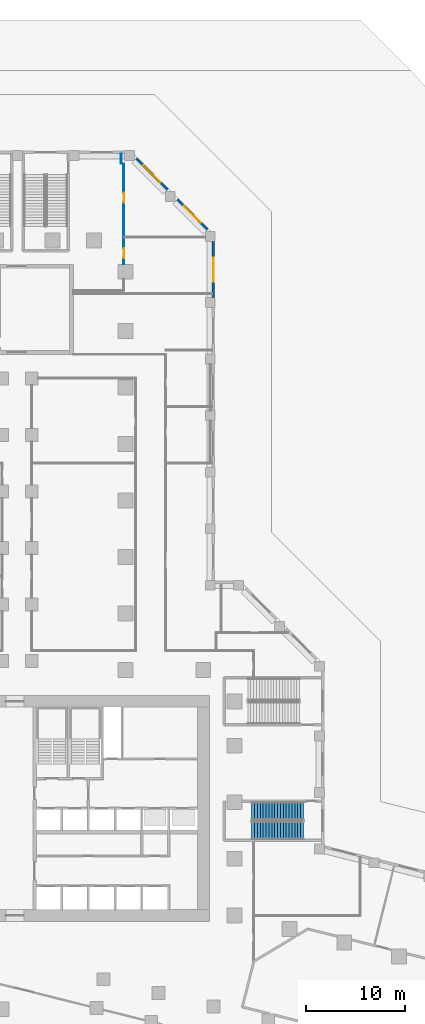
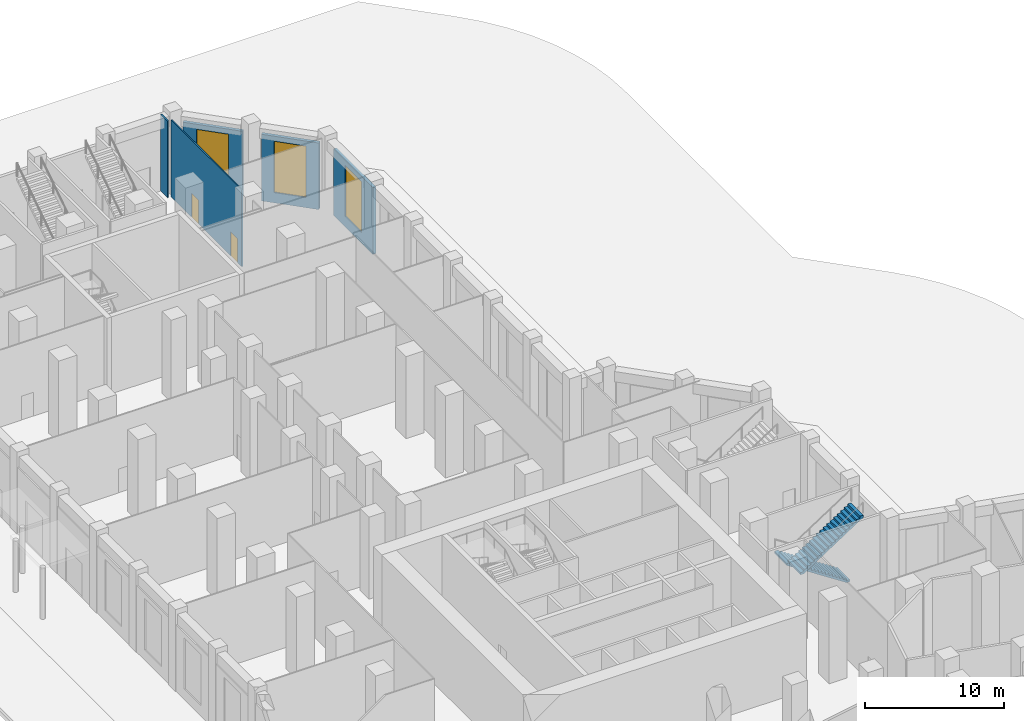
# One storey, part 20 of 27: 5 walls, 3 windows, 2 doors, 2 stair flights, 5 openings, 1 element without a shape of its own.
"""IFC4 building model written with IfcOpenShell, lengths in metres."""

from ifc_helpers import new_model, si_unit, direction, frame, frame_2d, origin, place, context, subcontext, project, spatial, polyline, rectangle, outline, extrude, material, layer, layer_set, type_object, element, fill, aggregate, save


model = new_model("IFC4")

# Units and contexts
model_context = context("Model", 3, precision=1e-05, world=origin(), true_north=direction((0.0, 1.0)))
body_context = subcontext(model_context, "Body", "Model", "MODEL_VIEW")
ifc_project = project(units=[si_unit("LENGTHUNIT", "METRE"), si_unit("AREAUNIT", "SQUARE_METRE"), si_unit("VOLUMEUNIT", "CUBIC_METRE"), si_unit("PLANEANGLEUNIT", "RADIAN"), si_unit("MASSUNIT", "GRAM", prefix="KILO")], contexts=[model_context])

# Site, building, storey
site_placement = place(None, origin())
site = spatial("IfcSite", under=ifc_project, at=site_placement, CompositionType="ELEMENT")
building_placement = place(site_placement, origin())
building = spatial("IfcBuilding", under=site, at=building_placement, Name="Meshkara Civic Tower", CompositionType="ELEMENT")
storey_placement = place(building_placement, origin())
storey = spatial("IfcBuildingStorey", under=building, at=storey_placement, Name="L00", CompositionType="ELEMENT", Elevation=0.0)

# Wall
ifc_material_1 = material(Name="Corridor wall 100")
ifc_layer_1 = layer(ifc_material_1, 0.10009765625)
ifc_layer_set_1 = layer_set([ifc_layer_1], Name="Corridor wall 100")
wall_type_1 = type_object("IfcWallType", Name="Corridor wall 100", PredefinedType="PARTITIONING", material=ifc_layer_set_1)
wall_1_placement = place(storey_placement, frame((21.89990234375, 90.52001953125, 0.0), z_axis=(0.0, 0.0, 1.0), x_axis=(0.0, 1.0, 0.0)))
element("IfcWall", 1, at=wall_1_placement, inside=storey, type_object=wall_type_1, Name="L00-R029", PredefinedType="PARTITIONING", context=body_context, shape_type="SweptSolid", body=[
    extrude(rectangle(XDim=1.0, YDim=0.10009765625, at=frame_2d((0.5, 0.0))), origin(), (0.0, 0.0, 1.0), 6.75),
])

# Wall, openings, doors
wall_2_placement = place(storey_placement, frame((22.199951171875, 80.384033203125, 0.0), z_axis=(0.0, 0.0, 1.0), x_axis=(0.0, 1.0, 0.0)))
wall_2 = element("IfcWall", 2, at=wall_2_placement, inside=storey, type_object=wall_type_1, Name="L00-R031", PredefinedType="PARTITIONING", context=body_context, shape_type="SweptSolid", body=[
    extrude(rectangle(XDim=10.135986328125, YDim=0.10009765625, at=frame_2d((5.06787109375, 0.0))), origin(), (0.0, 0.0, 1.0), 6.75),
])
opening_1_placement = place(wall_2_placement, frame((0.580078125, 0.0, 0.0)))
opening_1 = element("IfcOpeningElement", 3, at=opening_1_placement, cuts=wall_2, Name="Opening L00-P036", PredefinedType="OPENING", context=body_context, shape_type="SweptSolid", body=[
    extrude(rectangle(XDim=1.0, YDim=2.10009765625, at=frame_2d((0.5, 1.050048828125))), frame((0.0, 0.06005859375, 0.0), z_axis=(0.0, -1.0, 0.0), x_axis=(1.0, 0.0, 0.0)), (0.0, 0.0, 1.0), 0.1201171875),
])
opening_2_placement = place(wall_2_placement, frame((6.196044921875, 0.0, 0.0)))
opening_2 = element("IfcOpeningElement", 4, at=opening_2_placement, cuts=wall_2, Name="Opening L00-P038", PredefinedType="OPENING", context=body_context, shape_type="SweptSolid", body=[
    extrude(rectangle(XDim=1.0, YDim=2.10009765625, at=frame_2d((0.5, 1.050048828125))), frame((0.0, 0.06005859375, 0.0), z_axis=(0.0, -1.0, 0.0), x_axis=(1.0, 0.0, 0.0)), (0.0, 0.0, 1.0), 0.1201171875),
])
ifc_material_2 = material(Name="Door 1000 x 2100")
door_type = type_object("IfcDoorType", Name="Door 1000 x 2100", OperationType="SINGLE_SWING_LEFT", PredefinedType="DOOR", material=ifc_material_2)
door_1_placement = place(opening_1_placement, origin())
door_1 = element("IfcDoor", 5, at=door_1_placement, inside=storey, type_object=door_type, Name="L00-P036", OperationType="SINGLE_SWING_RIGHT", OverallHeight=2.10009765625, OverallWidth=1.0, PredefinedType="DOOR", context=body_context, shape_type="SweptSolid", body=[
    extrude(rectangle(XDim=1.0, YDim=2.10009765625, at=frame_2d((0.5, 1.050048828125))), frame((0.0, 0.02490234375, 0.0), z_axis=(0.0, -1.0, 0.0), x_axis=(1.0, 0.0, 0.0)), (0.0, 0.0, 1.0), 0.050048828125),
])
fill(opening_1, door_1)
door_2_placement = place(opening_2_placement, origin())
door_2 = element("IfcDoor", 6, at=door_2_placement, inside=storey, type_object=door_type, Name="L00-P038", OperationType="SINGLE_SWING_RIGHT", OverallHeight=2.10009765625, OverallWidth=1.0, PredefinedType="DOOR", context=body_context, shape_type="SweptSolid", body=[
    extrude(rectangle(XDim=1.0, YDim=2.10009765625, at=frame_2d((0.5, 1.050048828125))), frame((0.0, 0.02490234375, 0.0), z_axis=(0.0, -1.0, 0.0), x_axis=(1.0, 0.0, 0.0)), (0.0, 0.0, 1.0), 0.050048828125),
])
fill(opening_2, door_2)

# Wall, opening, window
ifc_material_3 = material(Name="Stone cladding on insulated backing wall", Category="masonry")
ifc_layer_2 = layer(ifc_material_3, 0.25)
ifc_layer_set_2 = layer_set([ifc_layer_2], Name="PODIUM STONE WALL 250")
wall_type_2 = type_object("IfcWallType", Name="PODIUM STONE WALL 250", PredefinedType="SOLIDWALL", material=ifc_layer_set_2)
wall_3_placement = place(storey_placement, frame((30.6298828125, 83.885986328125, 0.0), z_axis=(0.0, 0.0, 1.0), x_axis=(-0.707078301545, 0.707135259681, 0.0)))
wall_3 = element("IfcWall", 7, at=wall_3_placement, inside=storey, type_object=wall_type_2, Name="Podium external wall", PredefinedType="SOLIDWALL", context=body_context, shape_type="SweptSolid", body=[
    extrude(rectangle(XDim=4.286376953125, YDim=0.25, at=frame_2d((2.14306640625, 0.0))), origin(), (0.0, 0.0, 1.0), 5.85009765625),
])
opening_3_placement = place(wall_3_placement, frame((0.943115234375, 0.0, 0.89990234375)))
opening_3 = element("IfcOpeningElement", 8, at=opening_3_placement, cuts=wall_3, Name="Opening PW1", PredefinedType="OPENING", context=body_context, shape_type="SweptSolid", body=[
    extrude(rectangle(XDim=2.39990234375, YDim=4.5, at=frame_2d((1.199951171875, 2.25))), frame((0.0, 0.135009765625, 0.0), z_axis=(0.0, -1.0, 0.0), x_axis=(1.0, 0.0, 0.0)), (0.0, 0.0, 1.0), 0.27001953125),
])
ifc_material_4 = material(Name="Tinted double glazing", Category="glass")
window_type = type_object("IfcWindowType", Name="PODIUM WINDOW 2400x4500", PartitioningType="DOUBLE_PANEL_VERTICAL", PredefinedType="WINDOW", material=ifc_material_4)
window_1_placement = place(opening_3_placement, origin())
window_1 = element("IfcWindow", 9, at=window_1_placement, inside=storey, type_object=window_type, Name="Podium window", OverallHeight=4.5, OverallWidth=2.39990234375, PartitioningType="DOUBLE_PANEL_VERTICAL", PredefinedType="WINDOW", context=body_context, shape_type="SweptSolid", body=[
    extrude(rectangle(XDim=2.39990234375, YDim=4.5, at=frame_2d((1.199951171875, 2.25))), frame((0.0, 0.030029296875, 0.0), z_axis=(0.0, -1.0, 0.0), x_axis=(1.0, 0.0, 0.0)), (0.0, 0.0, 1.0), 0.06005859375),
])
fill(opening_3, window_1)

wall_4_placement = place(storey_placement, frame((26.59912109375, 87.9169921875, 0.0), z_axis=(0.0, 0.0, 1.0), x_axis=(-0.707106781187, 0.707106781187, 0.0)))
wall_4 = element("IfcWall", 10, at=wall_4_placement, inside=storey, type_object=wall_type_2, Name="Podium external wall", PredefinedType="SOLIDWALL", context=body_context, shape_type="SweptSolid", body=[
    extrude(rectangle(XDim=4.430908203125, YDim=0.25, at=frame_2d((2.21533203125, 0.0))), origin(), (0.0, 0.0, 1.0), 5.85009765625),
])
opening_4_placement = place(wall_4_placement, frame((1.014892578125, 0.0, 0.89990234375)))
opening_4 = element("IfcOpeningElement", 11, at=opening_4_placement, cuts=wall_4, Name="Opening PW1", PredefinedType="OPENING", context=body_context, shape_type="SweptSolid", body=[
    extrude(rectangle(XDim=2.39990234375, YDim=4.5, at=frame_2d((1.199951171875, 2.25))), frame((0.0, 0.135009765625, 0.0), z_axis=(0.0, -1.0, 0.0), x_axis=(1.0, 0.0, 0.0)), (0.0, 0.0, 1.0), 0.27001953125),
])
window_2_placement = place(opening_4_placement, origin())
window_2 = element("IfcWindow", 12, at=window_2_placement, inside=storey, type_object=window_type, Name="Podium window", OverallHeight=4.5, OverallWidth=2.39990234375, PartitioningType="DOUBLE_PANEL_VERTICAL", PredefinedType="WINDOW", context=body_context, shape_type="SweptSolid", body=[
    extrude(rectangle(XDim=2.39990234375, YDim=4.5, at=frame_2d((1.199951171875, 2.25))), frame((0.0, 0.030029296875, 0.0), z_axis=(0.0, -1.0, 0.0), x_axis=(1.0, 0.0, 0.0)), (0.0, 0.0, 1.0), 0.06005859375),
])
fill(opening_4, window_2)

wall_5_placement = place(storey_placement, frame((31.22509765625, 77.0, 0.0), z_axis=(0.0, 0.0, 1.0), x_axis=(0.0, 1.0, 0.0)))
wall_5 = element("IfcWall", 13, at=wall_5_placement, inside=storey, type_object=wall_type_2, Name="Podium external wall", PredefinedType="SOLIDWALL", context=body_context, shape_type="SweptSolid", body=[
    extrude(rectangle(XDim=5.656005859375, YDim=0.25, at=frame_2d((2.828125, 0.0))), origin(), (0.0, 0.0, 1.0), 5.85009765625),
])
opening_5_placement = place(wall_5_placement, frame((1.6279296875, 0.0, 0.89990234375)))
opening_5 = element("IfcOpeningElement", 14, at=opening_5_placement, cuts=wall_5, Name="Opening PW1", PredefinedType="OPENING", context=body_context, shape_type="SweptSolid", body=[
    extrude(rectangle(XDim=2.39990234375, YDim=4.5, at=frame_2d((1.199951171875, 2.25))), frame((0.0, 0.135009765625, 0.0), z_axis=(0.0, -1.0, 0.0), x_axis=(1.0, 0.0, 0.0)), (0.0, 0.0, 1.0), 0.27001953125),
])
window_3_placement = place(opening_5_placement, origin())
window_3 = element("IfcWindow", 15, at=window_3_placement, inside=storey, type_object=window_type, Name="Podium window", OverallHeight=4.5, OverallWidth=2.39990234375, PartitioningType="DOUBLE_PANEL_VERTICAL", PredefinedType="WINDOW", context=body_context, shape_type="SweptSolid", body=[
    extrude(rectangle(XDim=2.39990234375, YDim=4.5, at=frame_2d((1.199951171875, 2.25))), frame((0.0, 0.030029296875, 0.0), z_axis=(0.0, -1.0, 0.0), x_axis=(1.0, 0.0, 0.0)), (0.0, 0.0, 1.0), 0.06005859375),
])
fill(opening_5, window_3)

# Stair, stair flights
ifc_material_5 = material(Name="Precast concrete C40/50", Category="concrete")
stair_type = type_object("IfcStairType", Name="Podium exit stair half-turn 38 risers 1800 wide precast", PredefinedType="HALF_TURN_STAIR", material=ifc_material_5)
stair_placement = place(storey_placement, origin())
stair = element("IfcStair", 16, at=stair_placement, inside=storey, type_object=stair_type, Name="L00 podium exit stair PS5", PredefinedType="HALF_TURN_STAIR")
ifc_material_6 = material(Name="Precast concrete C40/50", Category="concrete")
stair_flight_type = type_object("IfcStairFlightType", Name="Podium exit stair flight 19 risers 1800 wide precast", PredefinedType="STRAIGHT", material=ifc_material_6)
stair_flight_1_placement = place(storey_placement, frame((40.300048828125, 25.22509765625, 0.0), z_axis=(0.0, 0.0, 1.0), x_axis=(-1.0, 0.0, 0.0)))
stair_flight_1 = element("IfcStairFlight", 17, at=stair_flight_1_placement, type_object=stair_flight_type, Name="PS5 flight 1", NumberOfRisers=19, NumberOfTreads=18, PredefinedType="STRAIGHT", RiserHeight=0.189473684, TreadLength=0.29, context=body_context, shape_type="SweptSolid", body=[
    extrude(outline(polyline([(0.0, 0.0), (0.0, 0.189453125), (0.2900390625, 0.189453125), (0.2900390625, 0.37890625), (0.580078125, 0.37890625), (0.580078125, 0.568359375), (0.8701171875, 0.568359375), (0.8701171875, 0.7578125), (1.159912109375, 0.7578125), (1.159912109375, 0.947265625), (1.449951171875, 0.947265625), (1.449951171875, 1.136962890625), (1.739990234375, 1.136962890625), (1.739990234375, 1.326416015625), (2.030029296875, 1.326416015625), (2.030029296875, 1.515869140625), (2.320068359375, 1.515869140625), (2.320068359375, 1.705322265625), (2.610107421875, 1.705322265625), (2.610107421875, 1.894775390625), (2.89990234375, 1.894775390625), (2.89990234375, 2.084228515625), (3.18994140625, 2.084228515625), (3.18994140625, 2.273681640625), (3.47998046875, 2.273681640625), (3.47998046875, 2.463134765625), (3.77001953125, 2.463134765625), (3.77001953125, 2.652587890625), (4.06005859375, 2.652587890625), (4.06005859375, 2.842041015625), (4.35009765625, 2.842041015625), (4.35009765625, 3.031494140625), (4.639892578125, 3.031494140625), (4.639892578125, 3.220947265625), (4.929931640625, 3.220947265625), (4.929931640625, 3.41064453125), (5.219970703125, 3.41064453125), (5.219970703125, 3.60009765625), (5.219970703125, 3.2314453125), (0.274169921875, 0.0), (0.0, 0.0)])), frame((0.0, 0.89990234375, 0.0), z_axis=(0.0, -1.0, 0.0), x_axis=(1.0, 0.0, 0.0)), (0.0, 0.0, 1.0), 1.800048828125),
])
stair_flight_2_placement = place(storey_placement, frame((35.080078125, 23.27490234375, 3.60009765625), z_axis=(0.0, 0.0, 1.0), x_axis=(1.0, 0.0, 0.0)))
stair_flight_2 = element("IfcStairFlight", 18, at=stair_flight_2_placement, type_object=stair_flight_type, Name="PS5 flight 2", NumberOfRisers=19, NumberOfTreads=18, PredefinedType="STRAIGHT", RiserHeight=0.189473684, TreadLength=0.29, context=body_context, shape_type="SweptSolid", body=[
    extrude(outline(polyline([(0.0, 0.0), (0.0, 0.189453125), (0.2900390625, 0.189453125), (0.2900390625, 0.37890625), (0.580078125, 0.37890625), (0.580078125, 0.568359375), (0.8701171875, 0.568359375), (0.8701171875, 0.7578125), (1.159912109375, 0.7578125), (1.159912109375, 0.947265625), (1.449951171875, 0.947265625), (1.449951171875, 1.136962890625), (1.739990234375, 1.136962890625), (1.739990234375, 1.326416015625), (2.030029296875, 1.326416015625), (2.030029296875, 1.515869140625), (2.320068359375, 1.515869140625), (2.320068359375, 1.705322265625), (2.610107421875, 1.705322265625), (2.610107421875, 1.894775390625), (2.89990234375, 1.894775390625), (2.89990234375, 2.084228515625), (3.18994140625, 2.084228515625), (3.18994140625, 2.273681640625), (3.47998046875, 2.273681640625), (3.47998046875, 2.463134765625), (3.77001953125, 2.463134765625), (3.77001953125, 2.652587890625), (4.06005859375, 2.652587890625), (4.06005859375, 2.842041015625), (4.35009765625, 2.842041015625), (4.35009765625, 3.031494140625), (4.639892578125, 3.031494140625), (4.639892578125, 3.220947265625), (4.929931640625, 3.220947265625), (4.929931640625, 3.41064453125), (5.219970703125, 3.41064453125), (5.219970703125, 3.60009765625), (5.219970703125, 3.2314453125), (0.274169921875, 0.0), (0.0, 0.0)])), frame((0.0, 0.89990234375, 0.0), z_axis=(0.0, -1.0, 0.0), x_axis=(1.0, 0.0, 0.0)), (0.0, 0.0, 1.0), 1.800048828125),
])
aggregate(stair, [stair_flight_1, stair_flight_2])

save(model, "model.ifc")
